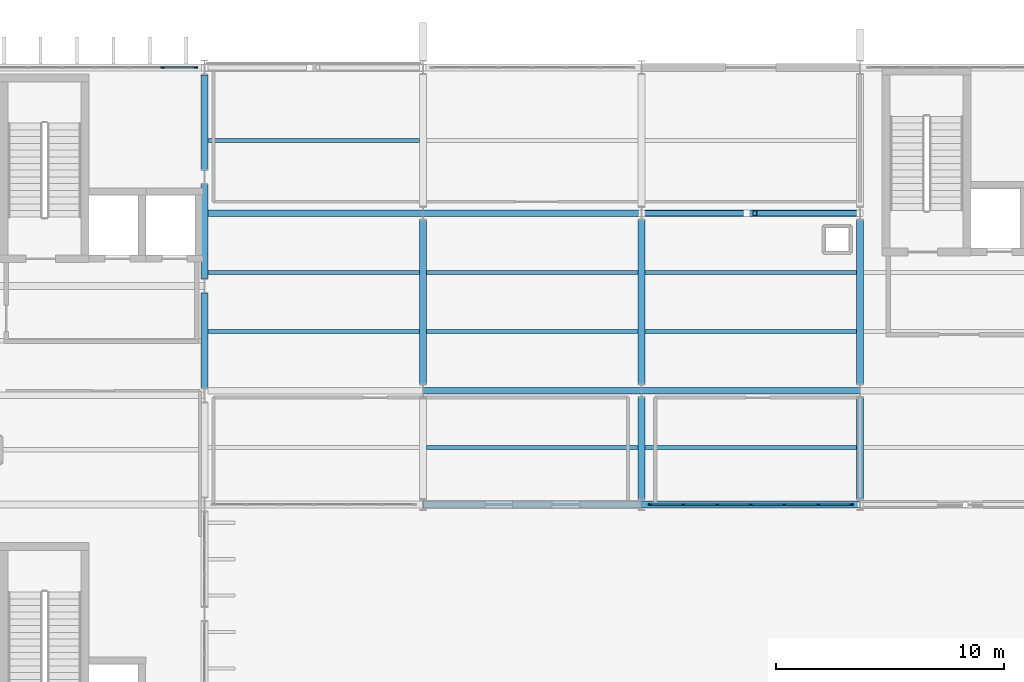
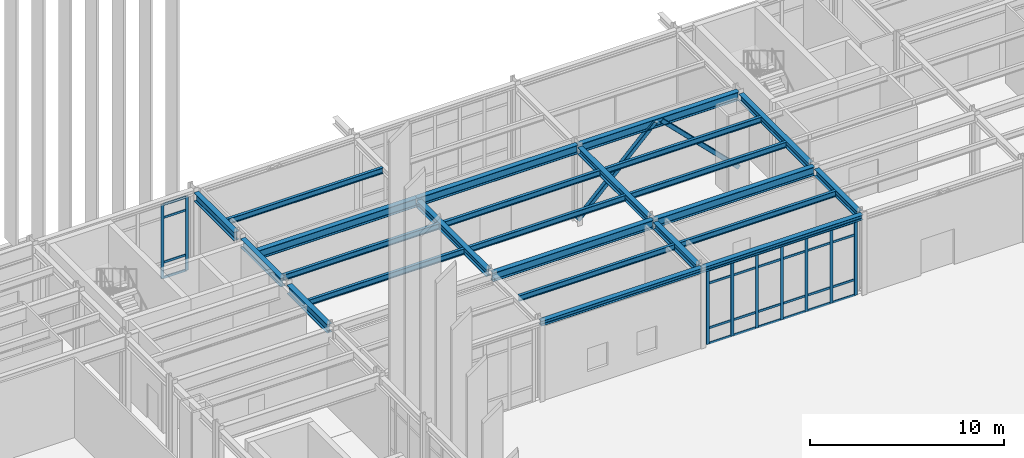
# One storey, part 55 of 109: 39 members, 24 beams, 2 elements without a shape of their own.
"""IFC4 building model written with IfcOpenShell, lengths in metres."""

from ifc_helpers import new_model, si_unit, direction, frame, origin, origin_2d, place, context, subcontext, project, spatial, rectangle, hollow_rectangle, i_section, extrude, material, layer, layer_set, material_profile, profile_set, type_object, element, aggregate, save


model = new_model("IFC4")

# Units and contexts
model_context = context("Model", 3, precision=1e-05, world=origin(), true_north=direction((0.0, 1.0)))
body_context = subcontext(model_context, "Body", "Model", "MODEL_VIEW")
ifc_project = project(units=[si_unit("LENGTHUNIT", "METRE"), si_unit("AREAUNIT", "SQUARE_METRE"), si_unit("VOLUMEUNIT", "CUBIC_METRE"), si_unit("PLANEANGLEUNIT", "RADIAN"), si_unit("MASSUNIT", "GRAM", prefix="KILO")], contexts=[model_context])

# Site, building, storey
site_placement = place(None, origin())
site = spatial("IfcSite", under=ifc_project, at=site_placement, CompositionType="ELEMENT")
building_placement = place(site_placement, origin())
building = spatial("IfcBuilding", under=site, at=building_placement, Name="Nordkorset Police Headquarters", CompositionType="ELEMENT")
storey_placement = place(building_placement, origin())
storey = spatial("IfcBuildingStorey", under=building, at=storey_placement, Name="L00", CompositionType="ELEMENT", Elevation=0.0)

# Beams
ifc_material_1 = material(Name="Steel S355J2", Category="steel")
ifc_material_profile_1 = material_profile(ifc_material_1, i_section(OverallWidth=0.169921875, OverallDepth=0.360107421875, WebThickness=0.008056640625, FlangeThickness=0.0126953125, FilletRadius=0.01806640625, at=origin_2d()), Name="IPE 360")
ifc_profile_set_1 = profile_set([ifc_material_profile_1], Name="Steel S355J2")
beam_type_1 = type_object("IfcBeamType", Name="Beam_IPE_360", PredefinedType="BEAM", material=ifc_profile_set_1)
for number, where, z_axis, x_axis, name in (
    (1, (28.949951171875, 105.199951171875, 4.820068359375), (1.0, 0.0, 0.0), (0.0, 1.0, 0.0), "Composite Floor Beam V2 L00 0-1-1"),
    (2, (28.949951171875, 107.800048828125, 4.820068359375), (1.0, 0.0, 0.0), (0.0, 1.0, 0.0), "Composite Floor Beam V2 L00 0-1-2"),
    (3, (28.949951171875, 113.60009765625, 4.820068359375), (1.0, 0.0, 0.0), (0.0, 1.0, 0.0), "Composite Floor Beam V2 L00 0-2-1"),
    (4, (38.550048828125, 100.10009765625, 4.820068359375), (1.0, 0.0, 0.0), (0.0, 1.0, 0.0), "Composite Floor Beam V2 L00 1-0-1"),
    (5, (38.550048828125, 105.199951171875, 4.820068359375), (1.0, 0.0, 0.0), (0.0, 1.0, 0.0), "Composite Floor Beam V2 L00 1-1-1"),
    (6, (38.550048828125, 107.800048828125, 4.820068359375), (1.0, 0.0, 0.0), (0.0, 1.0, 0.0), "Composite Floor Beam V2 L00 1-1-2"),
    (7, (48.14990234375, 100.10009765625, 4.820068359375), (1.0, 0.0, 0.0), (0.0, 1.0, 0.0), "Composite Floor Beam V2 L00 2-0-1"),
    (8, (48.14990234375, 105.199951171875, 4.820068359375), (1.0, 0.0, 0.0), (0.0, 1.0, 0.0), "Composite Floor Beam V2 L00 2-1-1"),
    (9, (48.14990234375, 107.800048828125, 4.820068359375), (1.0, 0.0, 0.0), (0.0, 1.0, 0.0), "Composite Floor Beam V2 L00 2-1-2"),
):
    element("IfcBeam", number, at=place(storey_placement, frame(where, z_axis=z_axis, x_axis=x_axis)), inside=storey, type_object=beam_type_1, Name=name, PredefinedType="BEAM", context=body_context, shape_type="SweptSolid", body=[
        extrude(i_section(OverallWidth=0.169921875, OverallDepth=0.360107421875, WebThickness=0.008056640625, FlangeThickness=0.0126953125, FilletRadius=0.01806640625, at=origin_2d()), origin(), (0.0, 0.0, 1.0), 9.300048828125),
    ])

# Members
ifc_material_2 = material(Name="Steel S355J2", Category="steel")
ifc_material_profile_2 = material_profile(ifc_material_2, hollow_rectangle(XDim=0.25, YDim=0.25, WallThickness=0.012451171875, InnerFilletRadius=0.012451171875, OuterFilletRadius=0.02490234375, at=origin_2d()), Name="SHS 250x250x12.5")
ifc_profile_set_2 = profile_set([ifc_material_profile_2], Name="Steel S355J2")
member_type_1 = type_object("IfcMemberType", Name="Brace_SHS_250x250x12.5", PredefinedType="BRACE", material=ifc_profile_set_2)
for number, where, z_axis, x_axis, name in (
    (10, (48.0078125, 110.39990234375, 0.199951171875), (0.70958138841, 0.0, 0.704623483303), (0.0, 1.0, 0.0), "Lateral Chevron Brace BF-V2-A L00 D1"),
    (11, (57.59228515625, 110.39990234375, 0.199951171875), (-0.70958138841, 0.0, 0.704623483303), (0.0, -1.0, 0.0), "Lateral Chevron Brace BF-V2-A L00 D2"),
):
    element("IfcMember", number, at=place(storey_placement, frame(where, z_axis=z_axis, x_axis=x_axis)), inside=storey, type_object=member_type_1, Name=name, PredefinedType="BRACE", context=body_context, shape_type="SweptSolid", body=[
        extrude(hollow_rectangle(XDim=0.25, YDim=0.25, WallThickness=0.012451171875, InnerFilletRadius=0.012451171875, OuterFilletRadius=0.02490234375, at=origin_2d()), origin(), (0.0, 0.0, 1.0), 6.5),
    ])

# Curtain wall, members
ifc_material_3 = material(Name="Aluminium alloy AW-6060", Category="aluminium")
ifc_layer = layer(ifc_material_3, 0.179931640625, Name="Aluminium alloy AW-6060")
ifc_layer_set = layer_set([ifc_layer], Name="Aluminium alloy AW-6060")
curtain_wall_type = type_object("IfcCurtainWallType", Name="CW_Unit_888x467", PredefinedType="USERDEFINED", material=ifc_layer_set)
curtain_wall_1_placement = place(storey_placement, origin())
curtain_wall_1 = element("IfcCurtainWall", 12, at=curtain_wall_1_placement, inside=storey, type_object=curtain_wall_type, Name="Unitised Curtain Wall L00 V1N-2", ObjectType="UNITISED CURTAIN WALL", PredefinedType="USERDEFINED")
ifc_material_4 = material(Name="Aluminium alloy AW-6060", Category="aluminium")
ifc_material_profile_3 = material_profile(ifc_material_4, rectangle(XDim=0.06494140625, YDim=0.179931640625, at=origin_2d()), Name="ALU MULL 65x180")
ifc_profile_set_3 = profile_set([ifc_material_profile_3], Name="Aluminium alloy AW-6060")
member_type_2 = type_object("IfcMemberType", Name="CW_Mullion_65x180", PredefinedType="MULLION", material=ifc_profile_set_3)
member_1_placement = place(storey_placement, frame((26.9599609375, 116.800048828125, 0.0), z_axis=(0.0, 0.0, 1.0), x_axis=(0.0, 1.0, 0.0)))
member_1 = element("IfcMember", 13, at=member_1_placement, type_object=member_type_2, Name="CW-51 mullion 6", PredefinedType="MULLION", context=body_context, shape_type="SweptSolid", body=[
    extrude(rectangle(XDim=0.06494140625, YDim=0.179931640625, at=origin_2d()), origin(), (0.0, 0.0, 1.0), 4.669921875),
])
member_2_placement = place(storey_placement, frame((28.407470703125, 116.800048828125, 0.0), z_axis=(0.0, 0.0, 1.0), x_axis=(0.0, 1.0, 0.0)))
member_2 = element("IfcMember", 14, at=member_2_placement, type_object=member_type_2, Name="CW-51 mullion 7", PredefinedType="MULLION", context=body_context, shape_type="SweptSolid", body=[
    extrude(rectangle(XDim=0.06494140625, YDim=0.179931640625, at=origin_2d()), origin(), (0.0, 0.0, 1.0), 4.669921875),
])

curtain_wall_2_placement = place(storey_placement, origin())
curtain_wall_2 = element("IfcCurtainWall", 15, at=curtain_wall_2_placement, inside=storey, type_object=curtain_wall_type, Name="Unitised Curtain Wall L00 V2S-2", ObjectType="UNITISED CURTAIN WALL", PredefinedType="USERDEFINED")
member_3_placement = place(storey_placement, frame((48.392578125, 97.60009765625, 0.0), z_axis=(0.0, 0.0, 1.0), x_axis=(0.0, 1.0, 0.0)))
member_3 = element("IfcMember", 16, at=member_3_placement, type_object=member_type_2, Name="CW-51 mullion 1", PredefinedType="MULLION", context=body_context, shape_type="SweptSolid", body=[
    extrude(rectangle(XDim=0.06494140625, YDim=0.179931640625, at=origin_2d()), origin(), (0.0, 0.0, 1.0), 4.669921875),
])
member_4_placement = place(storey_placement, frame((49.840087890625, 97.60009765625, 0.0), z_axis=(0.0, 0.0, 1.0), x_axis=(0.0, 1.0, 0.0)))
member_4 = element("IfcMember", 17, at=member_4_placement, type_object=member_type_2, Name="CW-51 mullion 2", PredefinedType="MULLION", context=body_context, shape_type="SweptSolid", body=[
    extrude(rectangle(XDim=0.06494140625, YDim=0.179931640625, at=origin_2d()), origin(), (0.0, 0.0, 1.0), 4.669921875),
])
member_5_placement = place(storey_placement, frame((51.320068359375, 97.60009765625, 0.0), z_axis=(0.0, 0.0, 1.0), x_axis=(0.0, 1.0, 0.0)))
member_5 = element("IfcMember", 18, at=member_5_placement, type_object=member_type_2, Name="CW-51 mullion 3", PredefinedType="MULLION", context=body_context, shape_type="SweptSolid", body=[
    extrude(rectangle(XDim=0.06494140625, YDim=0.179931640625, at=origin_2d()), origin(), (0.0, 0.0, 1.0), 4.669921875),
])
member_6_placement = place(storey_placement, frame((52.800048828125, 97.60009765625, 0.0), z_axis=(0.0, 0.0, 1.0), x_axis=(0.0, 1.0, 0.0)))
member_6 = element("IfcMember", 19, at=member_6_placement, type_object=member_type_2, Name="CW-51 mullion 4", PredefinedType="MULLION", context=body_context, shape_type="SweptSolid", body=[
    extrude(rectangle(XDim=0.06494140625, YDim=0.179931640625, at=origin_2d()), origin(), (0.0, 0.0, 1.0), 4.669921875),
])
member_7_placement = place(storey_placement, frame((54.280029296875, 97.60009765625, 0.0), z_axis=(0.0, 0.0, 1.0), x_axis=(0.0, 1.0, 0.0)))
member_7 = element("IfcMember", 20, at=member_7_placement, type_object=member_type_2, Name="CW-51 mullion 5", PredefinedType="MULLION", context=body_context, shape_type="SweptSolid", body=[
    extrude(rectangle(XDim=0.06494140625, YDim=0.179931640625, at=origin_2d()), origin(), (0.0, 0.0, 1.0), 4.669921875),
])
member_8_placement = place(storey_placement, frame((55.760009765625, 97.60009765625, 0.0), z_axis=(0.0, 0.0, 1.0), x_axis=(0.0, 1.0, 0.0)))
member_8 = element("IfcMember", 21, at=member_8_placement, type_object=member_type_2, Name="CW-51 mullion 6", PredefinedType="MULLION", context=body_context, shape_type="SweptSolid", body=[
    extrude(rectangle(XDim=0.06494140625, YDim=0.179931640625, at=origin_2d()), origin(), (0.0, 0.0, 1.0), 4.669921875),
])
member_9_placement = place(storey_placement, frame((57.20751953125, 97.60009765625, 0.0), z_axis=(0.0, 0.0, 1.0), x_axis=(0.0, 1.0, 0.0)))
member_9 = element("IfcMember", 22, at=member_9_placement, type_object=member_type_2, Name="CW-51 mullion 7", PredefinedType="MULLION", context=body_context, shape_type="SweptSolid", body=[
    extrude(rectangle(XDim=0.06494140625, YDim=0.179931640625, at=origin_2d()), origin(), (0.0, 0.0, 1.0), 4.669921875),
])

# Member
ifc_material_5 = material(Name="Aluminium alloy AW-6060", Category="aluminium")
ifc_material_profile_4 = material_profile(ifc_material_5, rectangle(XDim=0.06494140625, YDim=0.139892578125, at=origin_2d()), Name="ALU TRAN 65x140")
ifc_profile_set_4 = profile_set([ifc_material_profile_4], Name="Aluminium alloy AW-6060")
member_type_3 = type_object("IfcMemberType", Name="CW_Transom_65x140", PredefinedType="USERDEFINED", material=ifc_profile_set_4)
member_10_placement = place(storey_placement, frame((26.992431640625, 116.800048828125, 0.032470703125), z_axis=(1.0, 0.0, 0.0), x_axis=(0.0, 1.0, 0.0)))
member_10 = element("IfcMember", 23, at=member_10_placement, type_object=member_type_3, Name="CW-51 transom 6.1", ObjectType="TRANSOM", PredefinedType="USERDEFINED", context=body_context, shape_type="SweptSolid", body=[
    extrude(rectangle(XDim=0.06494140625, YDim=0.139892578125, at=origin_2d()), origin(), (0.0, 0.0, 1.0), 1.382568359375),
])

member_11_placement = place(storey_placement, frame((26.992431640625, 116.800048828125, 1.0), z_axis=(1.0, 0.0, 0.0), x_axis=(0.0, 1.0, 0.0)))
member_11 = element("IfcMember", 24, at=member_11_placement, type_object=member_type_3, Name="CW-51 transom 6.2", ObjectType="TRANSOM", PredefinedType="USERDEFINED", context=body_context, shape_type="SweptSolid", body=[
    extrude(rectangle(XDim=0.06494140625, YDim=0.139892578125, at=origin_2d()), origin(), (0.0, 0.0, 1.0), 1.382568359375),
])

member_12_placement = place(storey_placement, frame((26.992431640625, 116.800048828125, 3.820068359375), z_axis=(1.0, 0.0, 0.0), x_axis=(0.0, 1.0, 0.0)))
member_12 = element("IfcMember", 25, at=member_12_placement, type_object=member_type_3, Name="CW-51 transom 6.3", ObjectType="TRANSOM", PredefinedType="USERDEFINED", context=body_context, shape_type="SweptSolid", body=[
    extrude(rectangle(XDim=0.06494140625, YDim=0.139892578125, at=origin_2d()), origin(), (0.0, 0.0, 1.0), 1.382568359375),
])

member_13_placement = place(storey_placement, frame((26.992431640625, 116.800048828125, 4.637451171875), z_axis=(1.0, 0.0, 0.0), x_axis=(0.0, 1.0, 0.0)))
member_13 = element("IfcMember", 26, at=member_13_placement, type_object=member_type_3, Name="CW-51 transom 6.4", ObjectType="TRANSOM", PredefinedType="USERDEFINED", context=body_context, shape_type="SweptSolid", body=[
    extrude(rectangle(XDim=0.06494140625, YDim=0.139892578125, at=origin_2d()), origin(), (0.0, 0.0, 1.0), 1.382568359375),
])

aggregate(curtain_wall_1, [member_1, member_2, member_10, member_11, member_12, member_13])

member_14_placement = place(storey_placement, frame((48.425048828125, 97.60009765625, 0.032470703125), z_axis=(1.0, 0.0, 0.0), x_axis=(0.0, 1.0, 0.0)))
member_14 = element("IfcMember", 27, at=member_14_placement, type_object=member_type_3, Name="CW-51 transom 1.1", ObjectType="TRANSOM", PredefinedType="USERDEFINED", context=body_context, shape_type="SweptSolid", body=[
    extrude(rectangle(XDim=0.06494140625, YDim=0.139892578125, at=origin_2d()), origin(), (0.0, 0.0, 1.0), 1.382568359375),
])

member_15_placement = place(storey_placement, frame((48.425048828125, 97.60009765625, 1.0), z_axis=(1.0, 0.0, 0.0), x_axis=(0.0, 1.0, 0.0)))
member_15 = element("IfcMember", 28, at=member_15_placement, type_object=member_type_3, Name="CW-51 transom 1.2", ObjectType="TRANSOM", PredefinedType="USERDEFINED", context=body_context, shape_type="SweptSolid", body=[
    extrude(rectangle(XDim=0.06494140625, YDim=0.139892578125, at=origin_2d()), origin(), (0.0, 0.0, 1.0), 1.382568359375),
])

member_16_placement = place(storey_placement, frame((48.425048828125, 97.60009765625, 3.820068359375), z_axis=(1.0, 0.0, 0.0), x_axis=(0.0, 1.0, 0.0)))
member_16 = element("IfcMember", 29, at=member_16_placement, type_object=member_type_3, Name="CW-51 transom 1.3", ObjectType="TRANSOM", PredefinedType="USERDEFINED", context=body_context, shape_type="SweptSolid", body=[
    extrude(rectangle(XDim=0.06494140625, YDim=0.139892578125, at=origin_2d()), origin(), (0.0, 0.0, 1.0), 1.382568359375),
])

member_17_placement = place(storey_placement, frame((48.425048828125, 97.60009765625, 4.637451171875), z_axis=(1.0, 0.0, 0.0), x_axis=(0.0, 1.0, 0.0)))
member_17 = element("IfcMember", 30, at=member_17_placement, type_object=member_type_3, Name="CW-51 transom 1.4", ObjectType="TRANSOM", PredefinedType="USERDEFINED", context=body_context, shape_type="SweptSolid", body=[
    extrude(rectangle(XDim=0.06494140625, YDim=0.139892578125, at=origin_2d()), origin(), (0.0, 0.0, 1.0), 1.382568359375),
])

member_18_placement = place(storey_placement, frame((49.87255859375, 97.60009765625, 0.032470703125), z_axis=(1.0, 0.0, 0.0), x_axis=(0.0, 1.0, 0.0)))
member_18 = element("IfcMember", 31, at=member_18_placement, type_object=member_type_3, Name="CW-51 transom 2.1", ObjectType="TRANSOM", PredefinedType="USERDEFINED", context=body_context, shape_type="SweptSolid", body=[
    extrude(rectangle(XDim=0.06494140625, YDim=0.139892578125, at=origin_2d()), origin(), (0.0, 0.0, 1.0), 1.4150390625),
])

member_19_placement = place(storey_placement, frame((49.87255859375, 97.60009765625, 1.0), z_axis=(1.0, 0.0, 0.0), x_axis=(0.0, 1.0, 0.0)))
member_19 = element("IfcMember", 32, at=member_19_placement, type_object=member_type_3, Name="CW-51 transom 2.2", ObjectType="TRANSOM", PredefinedType="USERDEFINED", context=body_context, shape_type="SweptSolid", body=[
    extrude(rectangle(XDim=0.06494140625, YDim=0.139892578125, at=origin_2d()), origin(), (0.0, 0.0, 1.0), 1.4150390625),
])

member_20_placement = place(storey_placement, frame((49.87255859375, 97.60009765625, 3.820068359375), z_axis=(1.0, 0.0, 0.0), x_axis=(0.0, 1.0, 0.0)))
member_20 = element("IfcMember", 33, at=member_20_placement, type_object=member_type_3, Name="CW-51 transom 2.3", ObjectType="TRANSOM", PredefinedType="USERDEFINED", context=body_context, shape_type="SweptSolid", body=[
    extrude(rectangle(XDim=0.06494140625, YDim=0.139892578125, at=origin_2d()), origin(), (0.0, 0.0, 1.0), 1.4150390625),
])

member_21_placement = place(storey_placement, frame((49.87255859375, 97.60009765625, 4.637451171875), z_axis=(1.0, 0.0, 0.0), x_axis=(0.0, 1.0, 0.0)))
member_21 = element("IfcMember", 34, at=member_21_placement, type_object=member_type_3, Name="CW-51 transom 2.4", ObjectType="TRANSOM", PredefinedType="USERDEFINED", context=body_context, shape_type="SweptSolid", body=[
    extrude(rectangle(XDim=0.06494140625, YDim=0.139892578125, at=origin_2d()), origin(), (0.0, 0.0, 1.0), 1.4150390625),
])

member_22_placement = place(storey_placement, frame((51.3525390625, 97.60009765625, 0.032470703125), z_axis=(1.0, 0.0, 0.0), x_axis=(0.0, 1.0, 0.0)))
member_22 = element("IfcMember", 35, at=member_22_placement, type_object=member_type_3, Name="CW-51 transom 3.1", ObjectType="TRANSOM", PredefinedType="USERDEFINED", context=body_context, shape_type="SweptSolid", body=[
    extrude(rectangle(XDim=0.06494140625, YDim=0.139892578125, at=origin_2d()), origin(), (0.0, 0.0, 1.0), 1.4150390625),
])

member_23_placement = place(storey_placement, frame((51.3525390625, 97.60009765625, 1.0), z_axis=(1.0, 0.0, 0.0), x_axis=(0.0, 1.0, 0.0)))
member_23 = element("IfcMember", 36, at=member_23_placement, type_object=member_type_3, Name="CW-51 transom 3.2", ObjectType="TRANSOM", PredefinedType="USERDEFINED", context=body_context, shape_type="SweptSolid", body=[
    extrude(rectangle(XDim=0.06494140625, YDim=0.139892578125, at=origin_2d()), origin(), (0.0, 0.0, 1.0), 1.4150390625),
])

member_24_placement = place(storey_placement, frame((51.3525390625, 97.60009765625, 3.820068359375), z_axis=(1.0, 0.0, 0.0), x_axis=(0.0, 1.0, 0.0)))
member_24 = element("IfcMember", 37, at=member_24_placement, type_object=member_type_3, Name="CW-51 transom 3.3", ObjectType="TRANSOM", PredefinedType="USERDEFINED", context=body_context, shape_type="SweptSolid", body=[
    extrude(rectangle(XDim=0.06494140625, YDim=0.139892578125, at=origin_2d()), origin(), (0.0, 0.0, 1.0), 1.4150390625),
])

member_25_placement = place(storey_placement, frame((51.3525390625, 97.60009765625, 4.637451171875), z_axis=(1.0, 0.0, 0.0), x_axis=(0.0, 1.0, 0.0)))
member_25 = element("IfcMember", 38, at=member_25_placement, type_object=member_type_3, Name="CW-51 transom 3.4", ObjectType="TRANSOM", PredefinedType="USERDEFINED", context=body_context, shape_type="SweptSolid", body=[
    extrude(rectangle(XDim=0.06494140625, YDim=0.139892578125, at=origin_2d()), origin(), (0.0, 0.0, 1.0), 1.4150390625),
])

member_26_placement = place(storey_placement, frame((52.83251953125, 97.60009765625, 0.032470703125), z_axis=(1.0, 0.0, 0.0), x_axis=(0.0, 1.0, 0.0)))
member_26 = element("IfcMember", 39, at=member_26_placement, type_object=member_type_3, Name="CW-51 transom 4.1", ObjectType="TRANSOM", PredefinedType="USERDEFINED", context=body_context, shape_type="SweptSolid", body=[
    extrude(rectangle(XDim=0.06494140625, YDim=0.139892578125, at=origin_2d()), origin(), (0.0, 0.0, 1.0), 1.4150390625),
])

member_27_placement = place(storey_placement, frame((52.83251953125, 97.60009765625, 1.0), z_axis=(1.0, 0.0, 0.0), x_axis=(0.0, 1.0, 0.0)))
member_27 = element("IfcMember", 40, at=member_27_placement, type_object=member_type_3, Name="CW-51 transom 4.2", ObjectType="TRANSOM", PredefinedType="USERDEFINED", context=body_context, shape_type="SweptSolid", body=[
    extrude(rectangle(XDim=0.06494140625, YDim=0.139892578125, at=origin_2d()), origin(), (0.0, 0.0, 1.0), 1.4150390625),
])

member_28_placement = place(storey_placement, frame((52.83251953125, 97.60009765625, 3.820068359375), z_axis=(1.0, 0.0, 0.0), x_axis=(0.0, 1.0, 0.0)))
member_28 = element("IfcMember", 41, at=member_28_placement, type_object=member_type_3, Name="CW-51 transom 4.3", ObjectType="TRANSOM", PredefinedType="USERDEFINED", context=body_context, shape_type="SweptSolid", body=[
    extrude(rectangle(XDim=0.06494140625, YDim=0.139892578125, at=origin_2d()), origin(), (0.0, 0.0, 1.0), 1.4150390625),
])

member_29_placement = place(storey_placement, frame((52.83251953125, 97.60009765625, 4.637451171875), z_axis=(1.0, 0.0, 0.0), x_axis=(0.0, 1.0, 0.0)))
member_29 = element("IfcMember", 42, at=member_29_placement, type_object=member_type_3, Name="CW-51 transom 4.4", ObjectType="TRANSOM", PredefinedType="USERDEFINED", context=body_context, shape_type="SweptSolid", body=[
    extrude(rectangle(XDim=0.06494140625, YDim=0.139892578125, at=origin_2d()), origin(), (0.0, 0.0, 1.0), 1.4150390625),
])

member_30_placement = place(storey_placement, frame((54.3125, 97.60009765625, 0.032470703125), z_axis=(1.0, 0.0, 0.0), x_axis=(0.0, 1.0, 0.0)))
member_30 = element("IfcMember", 43, at=member_30_placement, type_object=member_type_3, Name="CW-51 transom 5.1", ObjectType="TRANSOM", PredefinedType="USERDEFINED", context=body_context, shape_type="SweptSolid", body=[
    extrude(rectangle(XDim=0.06494140625, YDim=0.139892578125, at=origin_2d()), origin(), (0.0, 0.0, 1.0), 1.4150390625),
])

member_31_placement = place(storey_placement, frame((54.3125, 97.60009765625, 1.0), z_axis=(1.0, 0.0, 0.0), x_axis=(0.0, 1.0, 0.0)))
member_31 = element("IfcMember", 44, at=member_31_placement, type_object=member_type_3, Name="CW-51 transom 5.2", ObjectType="TRANSOM", PredefinedType="USERDEFINED", context=body_context, shape_type="SweptSolid", body=[
    extrude(rectangle(XDim=0.06494140625, YDim=0.139892578125, at=origin_2d()), origin(), (0.0, 0.0, 1.0), 1.4150390625),
])

member_32_placement = place(storey_placement, frame((54.3125, 97.60009765625, 3.820068359375), z_axis=(1.0, 0.0, 0.0), x_axis=(0.0, 1.0, 0.0)))
member_32 = element("IfcMember", 45, at=member_32_placement, type_object=member_type_3, Name="CW-51 transom 5.3", ObjectType="TRANSOM", PredefinedType="USERDEFINED", context=body_context, shape_type="SweptSolid", body=[
    extrude(rectangle(XDim=0.06494140625, YDim=0.139892578125, at=origin_2d()), origin(), (0.0, 0.0, 1.0), 1.4150390625),
])

member_33_placement = place(storey_placement, frame((54.3125, 97.60009765625, 4.637451171875), z_axis=(1.0, 0.0, 0.0), x_axis=(0.0, 1.0, 0.0)))
member_33 = element("IfcMember", 46, at=member_33_placement, type_object=member_type_3, Name="CW-51 transom 5.4", ObjectType="TRANSOM", PredefinedType="USERDEFINED", context=body_context, shape_type="SweptSolid", body=[
    extrude(rectangle(XDim=0.06494140625, YDim=0.139892578125, at=origin_2d()), origin(), (0.0, 0.0, 1.0), 1.4150390625),
])

member_34_placement = place(storey_placement, frame((55.79248046875, 97.60009765625, 0.032470703125), z_axis=(1.0, 0.0, 0.0), x_axis=(0.0, 1.0, 0.0)))
member_34 = element("IfcMember", 47, at=member_34_placement, type_object=member_type_3, Name="CW-51 transom 6.1", ObjectType="TRANSOM", PredefinedType="USERDEFINED", context=body_context, shape_type="SweptSolid", body=[
    extrude(rectangle(XDim=0.06494140625, YDim=0.139892578125, at=origin_2d()), origin(), (0.0, 0.0, 1.0), 1.382568359375),
])

member_35_placement = place(storey_placement, frame((55.79248046875, 97.60009765625, 1.0), z_axis=(1.0, 0.0, 0.0), x_axis=(0.0, 1.0, 0.0)))
member_35 = element("IfcMember", 48, at=member_35_placement, type_object=member_type_3, Name="CW-51 transom 6.2", ObjectType="TRANSOM", PredefinedType="USERDEFINED", context=body_context, shape_type="SweptSolid", body=[
    extrude(rectangle(XDim=0.06494140625, YDim=0.139892578125, at=origin_2d()), origin(), (0.0, 0.0, 1.0), 1.382568359375),
])

member_36_placement = place(storey_placement, frame((55.79248046875, 97.60009765625, 3.820068359375), z_axis=(1.0, 0.0, 0.0), x_axis=(0.0, 1.0, 0.0)))
member_36 = element("IfcMember", 49, at=member_36_placement, type_object=member_type_3, Name="CW-51 transom 6.3", ObjectType="TRANSOM", PredefinedType="USERDEFINED", context=body_context, shape_type="SweptSolid", body=[
    extrude(rectangle(XDim=0.06494140625, YDim=0.139892578125, at=origin_2d()), origin(), (0.0, 0.0, 1.0), 1.382568359375),
])

member_37_placement = place(storey_placement, frame((55.79248046875, 97.60009765625, 4.637451171875), z_axis=(1.0, 0.0, 0.0), x_axis=(0.0, 1.0, 0.0)))
member_37 = element("IfcMember", 50, at=member_37_placement, type_object=member_type_3, Name="CW-51 transom 6.4", ObjectType="TRANSOM", PredefinedType="USERDEFINED", context=body_context, shape_type="SweptSolid", body=[
    extrude(rectangle(XDim=0.06494140625, YDim=0.139892578125, at=origin_2d()), origin(), (0.0, 0.0, 1.0), 1.382568359375),
])

aggregate(curtain_wall_2, [member_3, member_4, member_5, member_6, member_7, member_8, member_9, member_14, member_15, member_16, member_17, member_18, member_19, member_20, member_21, member_22, member_23, member_24, member_25, member_26, member_27, member_28, member_29, member_30, member_31, member_32, member_33, member_34, member_35, member_36, member_37])

# Beams
ifc_material_6 = material(Name="Steel S355J2", Category="steel")
ifc_material_profile_5 = material_profile(ifc_material_6, i_section(OverallWidth=0.300048828125, OverallDepth=0.43994140625, WebThickness=0.011474609375, FlangeThickness=0.02099609375, FilletRadius=0.027099609375, at=origin_2d()), Name="HEA 450")
ifc_profile_set_5 = profile_set([ifc_material_profile_5], Name="Steel S355J2")
beam_type_2 = type_object("IfcBeamType", Name="Girder_HEA_450", PredefinedType="USERDEFINED", material=ifc_profile_set_5)
beam_1_placement = place(storey_placement, frame((38.39990234375, 102.89990234375, 4.780029296875), z_axis=(0.0, 1.0, 0.0), x_axis=(-1.0, 0.0, 0.0)))
element("IfcBeam", 51, at=beam_1_placement, inside=storey, type_object=beam_type_2, Name="Girder V2 L00 GY-1-1", ObjectType="GIRDER", PredefinedType="USERDEFINED", context=body_context, shape_type="SweptSolid", body=[
    extrude(i_section(OverallWidth=0.300048828125, OverallDepth=0.43994140625, WebThickness=0.011474609375, FlangeThickness=0.02099609375, FilletRadius=0.027099609375, at=origin_2d()), origin(), (0.0, 0.0, 1.0), 7.2001953125),
])
beam_2_placement = place(storey_placement, frame((48.0, 97.85009765625, 4.780029296875), z_axis=(0.0, 1.0, 0.0), x_axis=(-1.0, 0.0, 0.0)))
element("IfcBeam", 52, at=beam_2_placement, inside=storey, type_object=beam_type_2, Name="Girder V2 L00 GY-2-0", ObjectType="GIRDER", PredefinedType="USERDEFINED", context=body_context, shape_type="SweptSolid", body=[
    extrude(i_section(OverallWidth=0.300048828125, OverallDepth=0.43994140625, WebThickness=0.011474609375, FlangeThickness=0.02099609375, FilletRadius=0.027099609375, at=origin_2d()), origin(), (0.0, 0.0, 1.0), 4.449951171875),
])
beam_3_placement = place(storey_placement, frame((48.0, 102.89990234375, 4.780029296875), z_axis=(0.0, 1.0, 0.0), x_axis=(-1.0, 0.0, 0.0)))
element("IfcBeam", 53, at=beam_3_placement, inside=storey, type_object=beam_type_2, Name="Girder V2 L00 GY-2-1", ObjectType="GIRDER", PredefinedType="USERDEFINED", context=body_context, shape_type="SweptSolid", body=[
    extrude(i_section(OverallWidth=0.300048828125, OverallDepth=0.43994140625, WebThickness=0.011474609375, FlangeThickness=0.02099609375, FilletRadius=0.027099609375, at=origin_2d()), origin(), (0.0, 0.0, 1.0), 7.2001953125),
])
beam_4_placement = place(storey_placement, frame((57.60009765625, 97.85009765625, 4.780029296875), z_axis=(0.0, 1.0, 0.0), x_axis=(-1.0, 0.0, 0.0)))
element("IfcBeam", 54, at=beam_4_placement, inside=storey, type_object=beam_type_2, Name="Girder V2 L00 GY-3-0", ObjectType="GIRDER", PredefinedType="USERDEFINED", context=body_context, shape_type="SweptSolid", body=[
    extrude(i_section(OverallWidth=0.300048828125, OverallDepth=0.43994140625, WebThickness=0.011474609375, FlangeThickness=0.02099609375, FilletRadius=0.027099609375, at=origin_2d()), origin(), (0.0, 0.0, 1.0), 4.449951171875),
])
beam_5_placement = place(storey_placement, frame((57.60009765625, 102.89990234375, 4.780029296875), z_axis=(0.0, 1.0, 0.0), x_axis=(-1.0, 0.0, 0.0)))
element("IfcBeam", 55, at=beam_5_placement, inside=storey, type_object=beam_type_2, Name="Girder V2 L00 GY-3-1", ObjectType="GIRDER", PredefinedType="USERDEFINED", context=body_context, shape_type="SweptSolid", body=[
    extrude(i_section(OverallWidth=0.300048828125, OverallDepth=0.43994140625, WebThickness=0.011474609375, FlangeThickness=0.02099609375, FilletRadius=0.027099609375, at=origin_2d()), origin(), (0.0, 0.0, 1.0), 7.2001953125),
])
ifc_material_7 = material(Name="Steel S355J2", Category="steel")
ifc_material_profile_6 = material_profile(ifc_material_7, i_section(OverallWidth=0.300048828125, OverallDepth=0.5400390625, WebThickness=0.012451171875, FlangeThickness=0.02392578125, FilletRadius=0.027099609375, at=origin_2d()), Name="HEA 550")
ifc_profile_set_6 = profile_set([ifc_material_profile_6], Name="Steel S355J2")
beam_type_3 = type_object("IfcBeamType", Name="Girder_HEA_550", PredefinedType="USERDEFINED", material=ifc_profile_set_6)
beam_6_placement = place(storey_placement, frame((28.800048828125, 102.72509765625, 4.72998046875), z_axis=(0.0, 1.0, 0.0), x_axis=(-1.0, 0.0, 0.0)))
element("IfcBeam", 56, at=beam_6_placement, inside=storey, type_object=beam_type_3, Name="Girder V1 L00 GY-2-4", ObjectType="GIRDER", PredefinedType="USERDEFINED", context=body_context, shape_type="SweptSolid", body=[
    extrude(i_section(OverallWidth=0.300048828125, OverallDepth=0.5400390625, WebThickness=0.012451171875, FlangeThickness=0.02392578125, FilletRadius=0.027099609375, at=origin_2d()), origin(), (0.0, 0.0, 1.0), 4.14990234375),
])
for number, where, z_axis, x_axis, name in (
    (57, (28.800048828125, 107.52490234375, 4.72998046875), (0.0, 1.0, 0.0), (-1.0, 0.0, 0.0), "Girder V1 L00 GY-2-5"),
    (58, (28.800048828125, 112.324951171875, 4.72998046875), (0.0, 1.0, 0.0), (-1.0, 0.0, 0.0), "Girder V1 L00 GY-2-6"),
):
    element("IfcBeam", number, at=place(storey_placement, frame(where, z_axis=z_axis, x_axis=x_axis)), inside=storey, type_object=beam_type_3, Name=name, ObjectType="GIRDER", PredefinedType="USERDEFINED", context=body_context, shape_type="SweptSolid", body=[
        extrude(i_section(OverallWidth=0.300048828125, OverallDepth=0.5400390625, WebThickness=0.012451171875, FlangeThickness=0.02392578125, FilletRadius=0.027099609375, at=origin_2d()), origin(), (0.0, 0.0, 1.0), 4.150146484375),
    ])
for number, where, z_axis, x_axis, name in (
    (59, (38.40771484375, 102.60009765625, 4.72998046875), (1.0, 0.0, 0.0), (0.0, 1.0, 0.0), "Girder V2 L00 GX-1-1"),
    (60, (48.0078125, 102.60009765625, 4.72998046875), (1.0, 0.0, 0.0), (0.0, 1.0, 0.0), "Girder V2 L00 GX-1-2"),
):
    element("IfcBeam", number, at=place(storey_placement, frame(where, z_axis=z_axis, x_axis=x_axis)), inside=storey, type_object=beam_type_3, Name=name, ObjectType="GIRDER", PredefinedType="USERDEFINED", context=body_context, shape_type="SweptSolid", body=[
        extrude(i_section(OverallWidth=0.300048828125, OverallDepth=0.5400390625, WebThickness=0.012451171875, FlangeThickness=0.02392578125, FilletRadius=0.027099609375, at=origin_2d()), origin(), (0.0, 0.0, 1.0), 9.58447265625),
    ])
beam_7_placement = place(storey_placement, frame((28.949951171875, 110.39990234375, 4.72998046875), z_axis=(1.0, 0.0, 0.0), x_axis=(0.0, 1.0, 0.0)))
element("IfcBeam", 61, at=beam_7_placement, inside=storey, type_object=beam_type_3, Name="Girder V2 L00 GX-2-0", ObjectType="GIRDER", PredefinedType="USERDEFINED", context=body_context, shape_type="SweptSolid", body=[
    extrude(i_section(OverallWidth=0.300048828125, OverallDepth=0.5400390625, WebThickness=0.012451171875, FlangeThickness=0.02392578125, FilletRadius=0.027099609375, at=origin_2d()), origin(), (0.0, 0.0, 1.0), 9.4423828125),
])
for number, where, z_axis, x_axis, name in (
    (62, (38.40771484375, 110.39990234375, 4.72998046875), (1.0, 0.0, 0.0), (0.0, 1.0, 0.0), "Girder V2 L00 GX-2-1"),
    (63, (48.0078125, 110.39990234375, 4.72998046875), (1.0, 0.0, 0.0), (0.0, 1.0, 0.0), "Girder V2 L00 GX-2-2"),
):
    element("IfcBeam", number, at=place(storey_placement, frame(where, z_axis=z_axis, x_axis=x_axis)), inside=storey, type_object=beam_type_3, Name=name, ObjectType="GIRDER", PredefinedType="USERDEFINED", context=body_context, shape_type="SweptSolid", body=[
        extrude(i_section(OverallWidth=0.300048828125, OverallDepth=0.5400390625, WebThickness=0.012451171875, FlangeThickness=0.02392578125, FilletRadius=0.027099609375, at=origin_2d()), origin(), (0.0, 0.0, 1.0), 9.58447265625),
    ])
ifc_material_8 = material(Name="Steel S355J2", Category="steel")
ifc_material_profile_7 = material_profile(ifc_material_8, i_section(OverallWidth=0.300048828125, OverallDepth=0.31005859375, WebThickness=0.009033203125, FlangeThickness=0.015380859375, FilletRadius=0.027099609375, at=origin_2d()), Name="HEA 320")
ifc_profile_set_7 = profile_set([ifc_material_profile_7], Name="Steel S355J2")
beam_type_4 = type_object("IfcBeamType", Name="Spandrel_HEA_320", PredefinedType="SPANDREL", material=ifc_profile_set_7)
for number, where, z_axis, x_axis, name in (
    (64, (38.4072265625, 97.60009765625, 4.844970703125), (1.0, 0.0, 0.0), (0.0, 1.0, 0.0), "Girder V2 L00 GX-0-1"),
    (65, (48.00732421875, 97.60009765625, 4.844970703125), (1.0, 0.0, 0.0), (0.0, 1.0, 0.0), "Girder V2 L00 GX-0-2"),
):
    element("IfcBeam", number, at=place(storey_placement, frame(where, z_axis=z_axis, x_axis=x_axis)), inside=storey, type_object=beam_type_4, Name=name, PredefinedType="SPANDREL", context=body_context, shape_type="SweptSolid", body=[
        extrude(i_section(OverallWidth=0.300048828125, OverallDepth=0.31005859375, WebThickness=0.009033203125, FlangeThickness=0.015380859375, FilletRadius=0.027099609375, at=origin_2d()), origin(), (0.0, 0.0, 1.0), 9.58544921875),
    ])

save(model, "model.ifc")
